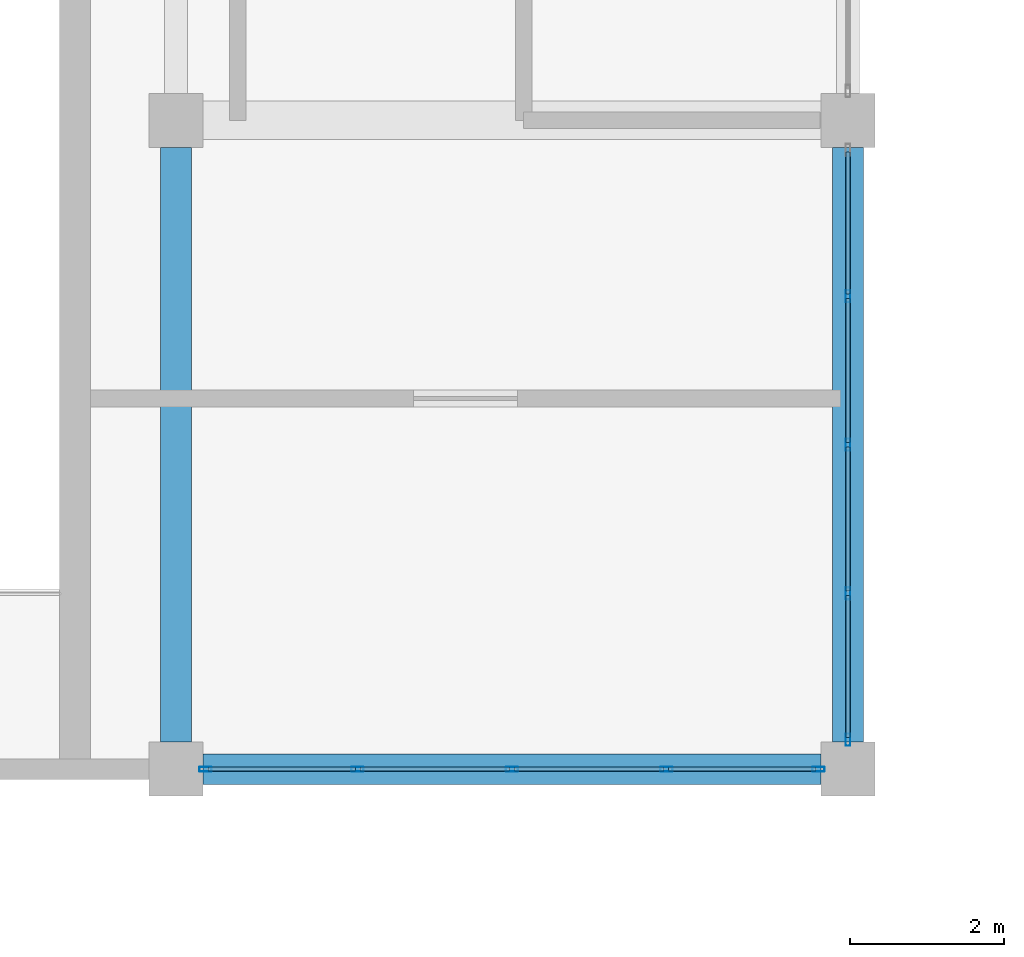
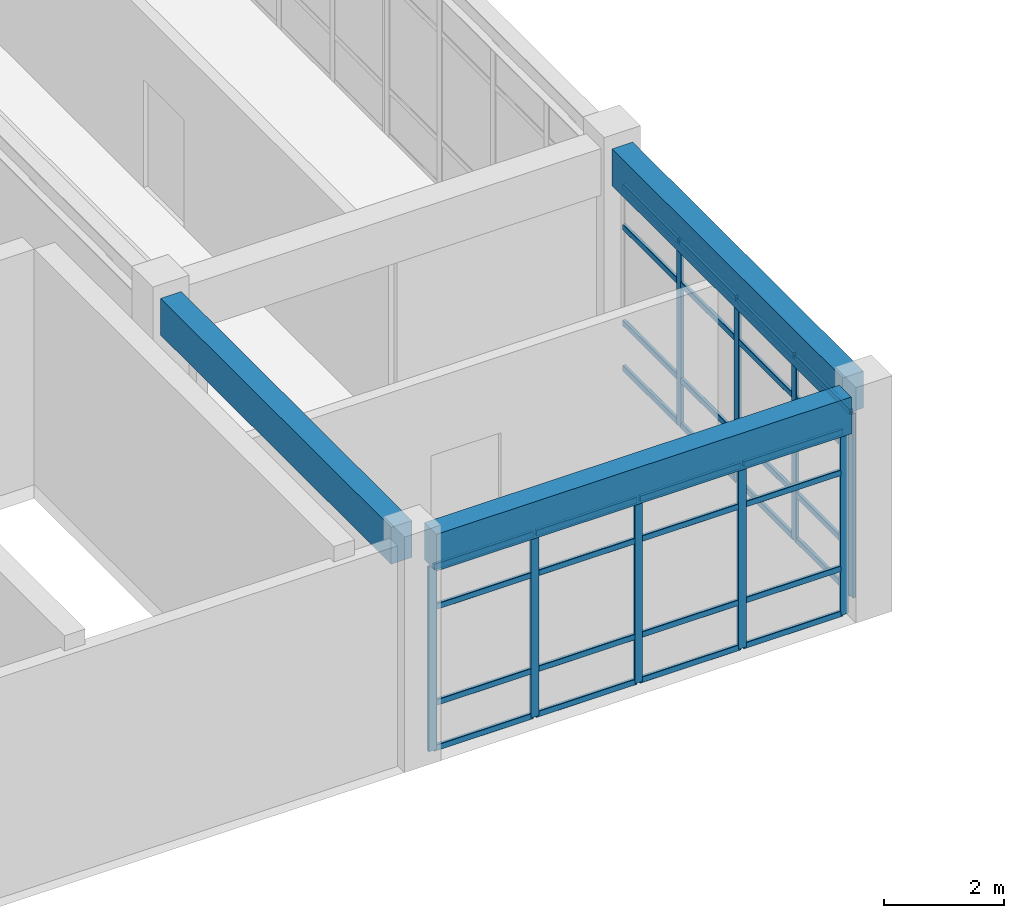
# One storey, part 30 of 64: 41 members, 3 beams, 2 elements without a shape of their own.
"""IFC4 building model written with IfcOpenShell, lengths in metres."""

from ifc_helpers import new_model, si_unit, derived_unit, direction, frame, origin, origin_2d, place, context, subcontext, project, spatial, rectangle, hollow_rectangle, extrude, material, layer, layer_set, material_profile, profile_set, type_object, element, aggregate, save


model = new_model("IFC4")

# Units and contexts
model_context = context("Model", 3, precision=1e-05, world=origin(), true_north=direction((0.0, 1.0)))
body_context = subcontext(model_context, "Body", "Model", "MODEL_VIEW")
ifc_project = project(units=[si_unit("LENGTHUNIT", "METRE"), si_unit("AREAUNIT", "SQUARE_METRE"), si_unit("VOLUMEUNIT", "CUBIC_METRE"), si_unit("PLANEANGLEUNIT", "RADIAN"), si_unit("MASSUNIT", "GRAM", prefix="KILO"), derived_unit("THERMALTRANSMITTANCEUNIT", [(si_unit("MASSUNIT", "GRAM", prefix="KILO"), 1), (si_unit("TIMEUNIT", "SECOND"), -3), (si_unit("THERMODYNAMICTEMPERATUREUNIT", "KELVIN"), -1)])], contexts=[model_context])

# Site, building, storey
site_placement = place(None, origin())
site = spatial("IfcSite", under=ifc_project, at=site_placement, CompositionType="ELEMENT")
building_placement = place(site_placement, origin())
building = spatial("IfcBuilding", under=site, at=building_placement, Name="Qinzheling Arcade Emporium", CompositionType="ELEMENT")
storey_placement = place(building_placement, frame((0.0, 0.0, 31.5)))
storey = spatial("IfcBuildingStorey", under=building, at=storey_placement, Name="L07", CompositionType="ELEMENT", Elevation=31.5)

# Curtain wall, members
ifc_material_1 = material(Name="Anodised aluminium and solar-control double glazing", Category="aluminium")
ifc_layer = layer(ifc_material_1, 0.159912109375, Name="Anodised aluminium and solar-control double glazing", Category="aluminium")
ifc_layer_set = layer_set([ifc_layer], Name="Anodised aluminium and solar-control double glazing")
curtain_wall_type = type_object("IfcCurtainWallType", Name="Atrium Clerestory Curtain Wall", PredefinedType="NOTDEFINED", material=ifc_layer_set)
curtain_wall_1_placement = place(storey_placement, origin())
curtain_wall_1 = element("IfcCurtainWall", 1, at=curtain_wall_1_placement, inside=storey, type_object=curtain_wall_type, Name="Curtain Wall CW-L07-427", PredefinedType="NOTDEFINED")
ifc_material_2 = material(Name="Anodised aluminium 6063-T6", Category="aluminium")
ifc_material_profile_1 = material_profile(ifc_material_2, hollow_rectangle(XDim=0.06005859375, YDim=0.159912109375, WallThickness=0.00390625, InnerFilletRadius=0.00390625, OuterFilletRadius=0.008056640625, at=origin_2d()), Name="RHS 160x60x4", Category="aluminium")
ifc_profile_set_1 = profile_set([ifc_material_profile_1], Name="Anodised aluminium 6063-T6")
member_type_1 = type_object("IfcMemberType", Name="Curtain Wall Mullion RHS160x60", PredefinedType="MULLION", material=ifc_profile_set_1)
member_1_placement = place(storey_placement, frame((104.39990234375, 48.1240234375, 0.0), z_axis=(0.0, 0.0, 1.0), x_axis=(1.0, 0.0, 0.0)))
member_1 = element("IfcMember", 2, at=member_1_placement, type_object=member_type_1, Name="CW03 mullion 2", PredefinedType="MULLION", context=body_context, shape_type="SweptSolid", body=[
    extrude(hollow_rectangle(XDim=0.06005859375, YDim=0.159912109375, WallThickness=0.00390625, InnerFilletRadius=0.00390625, OuterFilletRadius=0.008056640625, at=origin_2d()), origin(), (0.0, 0.0, 1.0), 3.7548828125),
])
member_2_placement = place(storey_placement, frame((104.39990234375, 46.199951171875, 0.0), z_axis=(0.0, 0.0, 1.0), x_axis=(1.0, 0.0, 0.0)))
member_2 = element("IfcMember", 3, at=member_2_placement, type_object=member_type_1, Name="CW03 mullion 3", PredefinedType="MULLION", context=body_context, shape_type="SweptSolid", body=[
    extrude(hollow_rectangle(XDim=0.06005859375, YDim=0.159912109375, WallThickness=0.00390625, InnerFilletRadius=0.00390625, OuterFilletRadius=0.008056640625, at=origin_2d()), origin(), (0.0, 0.0, 1.0), 3.7548828125),
])
member_3_placement = place(storey_placement, frame((104.39990234375, 44.27587890625, 0.0), z_axis=(0.0, 0.0, 1.0), x_axis=(1.0, 0.0, 0.0)))
member_3 = element("IfcMember", 4, at=member_3_placement, type_object=member_type_1, Name="CW03 mullion 4", PredefinedType="MULLION", context=body_context, shape_type="SweptSolid", body=[
    extrude(hollow_rectangle(XDim=0.06005859375, YDim=0.159912109375, WallThickness=0.00390625, InnerFilletRadius=0.00390625, OuterFilletRadius=0.008056640625, at=origin_2d()), origin(), (0.0, 0.0, 1.0), 3.7548828125),
])
member_4_placement = place(storey_placement, frame((104.39990234375, 42.382080078125, 0.0), z_axis=(0.0, 0.0, 1.0), x_axis=(1.0, 0.0, 0.0)))
member_4 = element("IfcMember", 5, at=member_4_placement, type_object=member_type_1, Name="CW03 mullion 5", PredefinedType="MULLION", context=body_context, shape_type="SweptSolid", body=[
    extrude(hollow_rectangle(XDim=0.06005859375, YDim=0.159912109375, WallThickness=0.00390625, InnerFilletRadius=0.00390625, OuterFilletRadius=0.008056640625, at=origin_2d()), origin(), (0.0, 0.0, 1.0), 3.7548828125),
])

curtain_wall_2_placement = place(storey_placement, origin())
curtain_wall_2 = element("IfcCurtainWall", 6, at=curtain_wall_2_placement, inside=storey, type_object=curtain_wall_type, Name="Curtain Wall CW-L07-428", PredefinedType="NOTDEFINED")
member_5_placement = place(storey_placement, frame((104.01806640625, 42.0, 0.0), z_axis=(0.0, 0.0, 1.0), x_axis=(0.0, -1.0, 0.0)))
member_5 = element("IfcMember", 7, at=member_5_placement, type_object=member_type_1, Name="CW03 mullion 1", PredefinedType="MULLION", context=body_context, shape_type="SweptSolid", body=[
    extrude(hollow_rectangle(XDim=0.06005859375, YDim=0.159912109375, WallThickness=0.00390625, InnerFilletRadius=0.00390625, OuterFilletRadius=0.008056640625, at=origin_2d()), origin(), (0.0, 0.0, 1.0), 3.7548828125),
])
member_6_placement = place(storey_placement, frame((102.049072265625, 42.0, 0.0), z_axis=(0.0, 0.0, 1.0), x_axis=(0.0, -1.0, 0.0)))
member_6 = element("IfcMember", 8, at=member_6_placement, type_object=member_type_1, Name="CW03 mullion 2", PredefinedType="MULLION", context=body_context, shape_type="SweptSolid", body=[
    extrude(hollow_rectangle(XDim=0.06005859375, YDim=0.159912109375, WallThickness=0.00390625, InnerFilletRadius=0.00390625, OuterFilletRadius=0.008056640625, at=origin_2d()), origin(), (0.0, 0.0, 1.0), 3.7548828125),
])
member_7_placement = place(storey_placement, frame((100.050048828125, 42.0, 0.0), z_axis=(0.0, 0.0, 1.0), x_axis=(0.0, -1.0, 0.0)))
member_7 = element("IfcMember", 9, at=member_7_placement, type_object=member_type_1, Name="CW03 mullion 3", PredefinedType="MULLION", context=body_context, shape_type="SweptSolid", body=[
    extrude(hollow_rectangle(XDim=0.06005859375, YDim=0.159912109375, WallThickness=0.00390625, InnerFilletRadius=0.00390625, OuterFilletRadius=0.008056640625, at=origin_2d()), origin(), (0.0, 0.0, 1.0), 3.7548828125),
])
member_8_placement = place(storey_placement, frame((98.051025390625, 42.0, 0.0), z_axis=(0.0, 0.0, 1.0), x_axis=(0.0, -1.0, 0.0)))
member_8 = element("IfcMember", 10, at=member_8_placement, type_object=member_type_1, Name="CW03 mullion 4", PredefinedType="MULLION", context=body_context, shape_type="SweptSolid", body=[
    extrude(hollow_rectangle(XDim=0.06005859375, YDim=0.159912109375, WallThickness=0.00390625, InnerFilletRadius=0.00390625, OuterFilletRadius=0.008056640625, at=origin_2d()), origin(), (0.0, 0.0, 1.0), 3.7548828125),
])
member_9_placement = place(storey_placement, frame((96.08203125, 42.0, 0.0), z_axis=(0.0, 0.0, 1.0), x_axis=(0.0, -1.0, 0.0)))
member_9 = element("IfcMember", 11, at=member_9_placement, type_object=member_type_1, Name="CW03 mullion 5", PredefinedType="MULLION", context=body_context, shape_type="SweptSolid", body=[
    extrude(hollow_rectangle(XDim=0.06005859375, YDim=0.159912109375, WallThickness=0.00390625, InnerFilletRadius=0.00390625, OuterFilletRadius=0.008056640625, at=origin_2d()), origin(), (0.0, 0.0, 1.0), 3.7548828125),
])

# Member
ifc_material_profile_2 = material_profile(ifc_material_2, hollow_rectangle(XDim=0.06005859375, YDim=0.1201171875, WallThickness=0.00390625, InnerFilletRadius=0.00390625, OuterFilletRadius=0.008056640625, at=origin_2d()), Name="RHS 120x60x4", Category="aluminium")
ifc_profile_set_2 = profile_set([ifc_material_profile_2], Name="Anodised aluminium 6063-T6")
member_type_2 = type_object("IfcMemberType", Name="Curtain Wall Transom RHS120x60", PredefinedType="USERDEFINED", material=ifc_profile_set_2)
member_10_placement = place(storey_placement, frame((104.39990234375, 49.988037109375, 0.030029296875), z_axis=(0.0, -1.0, 0.0), x_axis=(1.0, 0.0, 0.0)))
member_10 = element("IfcMember", 12, at=member_10_placement, type_object=member_type_2, Name="CW03 transom 1.1", ObjectType="TRANSOM", PredefinedType="USERDEFINED", context=body_context, shape_type="SweptSolid", body=[
    extrude(hollow_rectangle(XDim=0.06005859375, YDim=0.1201171875, WallThickness=0.00390625, InnerFilletRadius=0.00390625, OuterFilletRadius=0.008056640625, at=origin_2d()), origin(), (0.0, 0.0, 1.0), 1.833984375),
])

member_11_placement = place(storey_placement, frame((104.39990234375, 49.988037109375, 0.949951171875), z_axis=(0.0, -1.0, 0.0), x_axis=(1.0, 0.0, 0.0)))
member_11 = element("IfcMember", 13, at=member_11_placement, type_object=member_type_2, Name="CW03 transom 1.2", ObjectType="TRANSOM", PredefinedType="USERDEFINED", context=body_context, shape_type="SweptSolid", body=[
    extrude(hollow_rectangle(XDim=0.06005859375, YDim=0.1201171875, WallThickness=0.00390625, InnerFilletRadius=0.00390625, OuterFilletRadius=0.008056640625, at=origin_2d()), origin(), (0.0, 0.0, 1.0), 1.833984375),
])

member_12_placement = place(storey_placement, frame((104.39990234375, 49.988037109375, 2.905029296875), z_axis=(0.0, -1.0, 0.0), x_axis=(1.0, 0.0, 0.0)))
member_12 = element("IfcMember", 14, at=member_12_placement, type_object=member_type_2, Name="CW03 transom 1.3", ObjectType="TRANSOM", PredefinedType="USERDEFINED", context=body_context, shape_type="SweptSolid", body=[
    extrude(hollow_rectangle(XDim=0.06005859375, YDim=0.1201171875, WallThickness=0.00390625, InnerFilletRadius=0.00390625, OuterFilletRadius=0.008056640625, at=origin_2d()), origin(), (0.0, 0.0, 1.0), 1.833984375),
])

member_13_placement = place(storey_placement, frame((104.39990234375, 49.988037109375, 3.72509765625), z_axis=(0.0, -1.0, 0.0), x_axis=(1.0, 0.0, 0.0)))
member_13 = element("IfcMember", 15, at=member_13_placement, type_object=member_type_2, Name="CW03 transom 1.4", ObjectType="TRANSOM", PredefinedType="USERDEFINED", context=body_context, shape_type="SweptSolid", body=[
    extrude(hollow_rectangle(XDim=0.06005859375, YDim=0.1201171875, WallThickness=0.00390625, InnerFilletRadius=0.00390625, OuterFilletRadius=0.008056640625, at=origin_2d()), origin(), (0.0, 0.0, 1.0), 1.833984375),
])

member_14_placement = place(storey_placement, frame((104.39990234375, 48.093994140625, 0.030029296875), z_axis=(0.0, -1.0, 0.0), x_axis=(1.0, 0.0, 0.0)))
member_14 = element("IfcMember", 16, at=member_14_placement, type_object=member_type_2, Name="CW03 transom 2.1", ObjectType="TRANSOM", PredefinedType="USERDEFINED", context=body_context, shape_type="SweptSolid", body=[
    extrude(hollow_rectangle(XDim=0.06005859375, YDim=0.1201171875, WallThickness=0.00390625, InnerFilletRadius=0.00390625, OuterFilletRadius=0.008056640625, at=origin_2d()), origin(), (0.0, 0.0, 1.0), 1.864013671875),
])

member_15_placement = place(storey_placement, frame((104.39990234375, 48.093994140625, 0.949951171875), z_axis=(0.0, -1.0, 0.0), x_axis=(1.0, 0.0, 0.0)))
member_15 = element("IfcMember", 17, at=member_15_placement, type_object=member_type_2, Name="CW03 transom 2.2", ObjectType="TRANSOM", PredefinedType="USERDEFINED", context=body_context, shape_type="SweptSolid", body=[
    extrude(hollow_rectangle(XDim=0.06005859375, YDim=0.1201171875, WallThickness=0.00390625, InnerFilletRadius=0.00390625, OuterFilletRadius=0.008056640625, at=origin_2d()), origin(), (0.0, 0.0, 1.0), 1.864013671875),
])

member_16_placement = place(storey_placement, frame((104.39990234375, 48.093994140625, 2.905029296875), z_axis=(0.0, -1.0, 0.0), x_axis=(1.0, 0.0, 0.0)))
member_16 = element("IfcMember", 18, at=member_16_placement, type_object=member_type_2, Name="CW03 transom 2.3", ObjectType="TRANSOM", PredefinedType="USERDEFINED", context=body_context, shape_type="SweptSolid", body=[
    extrude(hollow_rectangle(XDim=0.06005859375, YDim=0.1201171875, WallThickness=0.00390625, InnerFilletRadius=0.00390625, OuterFilletRadius=0.008056640625, at=origin_2d()), origin(), (0.0, 0.0, 1.0), 1.864013671875),
])

member_17_placement = place(storey_placement, frame((104.39990234375, 48.093994140625, 3.72509765625), z_axis=(0.0, -1.0, 0.0), x_axis=(1.0, 0.0, 0.0)))
member_17 = element("IfcMember", 19, at=member_17_placement, type_object=member_type_2, Name="CW03 transom 2.4", ObjectType="TRANSOM", PredefinedType="USERDEFINED", context=body_context, shape_type="SweptSolid", body=[
    extrude(hollow_rectangle(XDim=0.06005859375, YDim=0.1201171875, WallThickness=0.00390625, InnerFilletRadius=0.00390625, OuterFilletRadius=0.008056640625, at=origin_2d()), origin(), (0.0, 0.0, 1.0), 1.864013671875),
])

member_18_placement = place(storey_placement, frame((104.39990234375, 46.169921875, 0.030029296875), z_axis=(0.0, -1.0, 0.0), x_axis=(1.0, 0.0, 0.0)))
member_18 = element("IfcMember", 20, at=member_18_placement, type_object=member_type_2, Name="CW03 transom 3.1", ObjectType="TRANSOM", PredefinedType="USERDEFINED", context=body_context, shape_type="SweptSolid", body=[
    extrude(hollow_rectangle(XDim=0.06005859375, YDim=0.1201171875, WallThickness=0.00390625, InnerFilletRadius=0.00390625, OuterFilletRadius=0.008056640625, at=origin_2d()), origin(), (0.0, 0.0, 1.0), 1.864013671875),
])

member_19_placement = place(storey_placement, frame((104.39990234375, 46.169921875, 0.949951171875), z_axis=(0.0, -1.0, 0.0), x_axis=(1.0, 0.0, 0.0)))
member_19 = element("IfcMember", 21, at=member_19_placement, type_object=member_type_2, Name="CW03 transom 3.2", ObjectType="TRANSOM", PredefinedType="USERDEFINED", context=body_context, shape_type="SweptSolid", body=[
    extrude(hollow_rectangle(XDim=0.06005859375, YDim=0.1201171875, WallThickness=0.00390625, InnerFilletRadius=0.00390625, OuterFilletRadius=0.008056640625, at=origin_2d()), origin(), (0.0, 0.0, 1.0), 1.864013671875),
])

member_20_placement = place(storey_placement, frame((104.39990234375, 46.169921875, 2.905029296875), z_axis=(0.0, -1.0, 0.0), x_axis=(1.0, 0.0, 0.0)))
member_20 = element("IfcMember", 22, at=member_20_placement, type_object=member_type_2, Name="CW03 transom 3.3", ObjectType="TRANSOM", PredefinedType="USERDEFINED", context=body_context, shape_type="SweptSolid", body=[
    extrude(hollow_rectangle(XDim=0.06005859375, YDim=0.1201171875, WallThickness=0.00390625, InnerFilletRadius=0.00390625, OuterFilletRadius=0.008056640625, at=origin_2d()), origin(), (0.0, 0.0, 1.0), 1.864013671875),
])

member_21_placement = place(storey_placement, frame((104.39990234375, 46.169921875, 3.72509765625), z_axis=(0.0, -1.0, 0.0), x_axis=(1.0, 0.0, 0.0)))
member_21 = element("IfcMember", 23, at=member_21_placement, type_object=member_type_2, Name="CW03 transom 3.4", ObjectType="TRANSOM", PredefinedType="USERDEFINED", context=body_context, shape_type="SweptSolid", body=[
    extrude(hollow_rectangle(XDim=0.06005859375, YDim=0.1201171875, WallThickness=0.00390625, InnerFilletRadius=0.00390625, OuterFilletRadius=0.008056640625, at=origin_2d()), origin(), (0.0, 0.0, 1.0), 1.864013671875),
])

member_22_placement = place(storey_placement, frame((104.39990234375, 44.24609375, 0.030029296875), z_axis=(0.0, -1.0, 0.0), x_axis=(1.0, 0.0, 0.0)))
member_22 = element("IfcMember", 24, at=member_22_placement, type_object=member_type_2, Name="CW03 transom 4.1", ObjectType="TRANSOM", PredefinedType="USERDEFINED", context=body_context, shape_type="SweptSolid", body=[
    extrude(hollow_rectangle(XDim=0.06005859375, YDim=0.1201171875, WallThickness=0.00390625, InnerFilletRadius=0.00390625, OuterFilletRadius=0.008056640625, at=origin_2d()), origin(), (0.0, 0.0, 1.0), 1.833984375),
])

member_23_placement = place(storey_placement, frame((104.39990234375, 44.24609375, 0.949951171875), z_axis=(0.0, -1.0, 0.0), x_axis=(1.0, 0.0, 0.0)))
member_23 = element("IfcMember", 25, at=member_23_placement, type_object=member_type_2, Name="CW03 transom 4.2", ObjectType="TRANSOM", PredefinedType="USERDEFINED", context=body_context, shape_type="SweptSolid", body=[
    extrude(hollow_rectangle(XDim=0.06005859375, YDim=0.1201171875, WallThickness=0.00390625, InnerFilletRadius=0.00390625, OuterFilletRadius=0.008056640625, at=origin_2d()), origin(), (0.0, 0.0, 1.0), 1.833984375),
])

member_24_placement = place(storey_placement, frame((104.39990234375, 44.24609375, 2.905029296875), z_axis=(0.0, -1.0, 0.0), x_axis=(1.0, 0.0, 0.0)))
member_24 = element("IfcMember", 26, at=member_24_placement, type_object=member_type_2, Name="CW03 transom 4.3", ObjectType="TRANSOM", PredefinedType="USERDEFINED", context=body_context, shape_type="SweptSolid", body=[
    extrude(hollow_rectangle(XDim=0.06005859375, YDim=0.1201171875, WallThickness=0.00390625, InnerFilletRadius=0.00390625, OuterFilletRadius=0.008056640625, at=origin_2d()), origin(), (0.0, 0.0, 1.0), 1.833984375),
])

member_25_placement = place(storey_placement, frame((104.39990234375, 44.24609375, 3.72509765625), z_axis=(0.0, -1.0, 0.0), x_axis=(1.0, 0.0, 0.0)))
member_25 = element("IfcMember", 27, at=member_25_placement, type_object=member_type_2, Name="CW03 transom 4.4", ObjectType="TRANSOM", PredefinedType="USERDEFINED", context=body_context, shape_type="SweptSolid", body=[
    extrude(hollow_rectangle(XDim=0.06005859375, YDim=0.1201171875, WallThickness=0.00390625, InnerFilletRadius=0.00390625, OuterFilletRadius=0.008056640625, at=origin_2d()), origin(), (0.0, 0.0, 1.0), 1.833984375),
])

aggregate(curtain_wall_1, [member_1, member_2, member_3, member_4, member_10, member_11, member_12, member_13, member_14, member_15, member_16, member_17, member_18, member_19, member_20, member_21, member_22, member_23, member_24, member_25])

member_26_placement = place(storey_placement, frame((103.988037109375, 42.0, 0.030029296875), z_axis=(-1.0, 0.0, 0.0), x_axis=(0.0, -1.0, 0.0)))
member_26 = element("IfcMember", 28, at=member_26_placement, type_object=member_type_2, Name="CW03 transom 1.1", ObjectType="TRANSOM", PredefinedType="USERDEFINED", context=body_context, shape_type="SweptSolid", body=[
    extrude(hollow_rectangle(XDim=0.06005859375, YDim=0.1201171875, WallThickness=0.00390625, InnerFilletRadius=0.00390625, OuterFilletRadius=0.008056640625, at=origin_2d()), origin(), (0.0, 0.0, 1.0), 1.908935546875),
])

member_27_placement = place(storey_placement, frame((103.988037109375, 42.0, 0.949951171875), z_axis=(-1.0, 0.0, 0.0), x_axis=(0.0, -1.0, 0.0)))
member_27 = element("IfcMember", 29, at=member_27_placement, type_object=member_type_2, Name="CW03 transom 1.2", ObjectType="TRANSOM", PredefinedType="USERDEFINED", context=body_context, shape_type="SweptSolid", body=[
    extrude(hollow_rectangle(XDim=0.06005859375, YDim=0.1201171875, WallThickness=0.00390625, InnerFilletRadius=0.00390625, OuterFilletRadius=0.008056640625, at=origin_2d()), origin(), (0.0, 0.0, 1.0), 1.908935546875),
])

member_28_placement = place(storey_placement, frame((103.988037109375, 42.0, 2.905029296875), z_axis=(-1.0, 0.0, 0.0), x_axis=(0.0, -1.0, 0.0)))
member_28 = element("IfcMember", 30, at=member_28_placement, type_object=member_type_2, Name="CW03 transom 1.3", ObjectType="TRANSOM", PredefinedType="USERDEFINED", context=body_context, shape_type="SweptSolid", body=[
    extrude(hollow_rectangle(XDim=0.06005859375, YDim=0.1201171875, WallThickness=0.00390625, InnerFilletRadius=0.00390625, OuterFilletRadius=0.008056640625, at=origin_2d()), origin(), (0.0, 0.0, 1.0), 1.908935546875),
])

member_29_placement = place(storey_placement, frame((103.988037109375, 42.0, 3.72509765625), z_axis=(-1.0, 0.0, 0.0), x_axis=(0.0, -1.0, 0.0)))
member_29 = element("IfcMember", 31, at=member_29_placement, type_object=member_type_2, Name="CW03 transom 1.4", ObjectType="TRANSOM", PredefinedType="USERDEFINED", context=body_context, shape_type="SweptSolid", body=[
    extrude(hollow_rectangle(XDim=0.06005859375, YDim=0.1201171875, WallThickness=0.00390625, InnerFilletRadius=0.00390625, OuterFilletRadius=0.008056640625, at=origin_2d()), origin(), (0.0, 0.0, 1.0), 1.908935546875),
])

member_30_placement = place(storey_placement, frame((102.01904296875, 42.0, 0.030029296875), z_axis=(-1.0, 0.0, 0.0), x_axis=(0.0, -1.0, 0.0)))
member_30 = element("IfcMember", 32, at=member_30_placement, type_object=member_type_2, Name="CW03 transom 2.1", ObjectType="TRANSOM", PredefinedType="USERDEFINED", context=body_context, shape_type="SweptSolid", body=[
    extrude(hollow_rectangle(XDim=0.06005859375, YDim=0.1201171875, WallThickness=0.00390625, InnerFilletRadius=0.00390625, OuterFilletRadius=0.008056640625, at=origin_2d()), origin(), (0.0, 0.0, 1.0), 1.93896484375),
])

member_31_placement = place(storey_placement, frame((102.01904296875, 42.0, 0.949951171875), z_axis=(-1.0, 0.0, 0.0), x_axis=(0.0, -1.0, 0.0)))
member_31 = element("IfcMember", 33, at=member_31_placement, type_object=member_type_2, Name="CW03 transom 2.2", ObjectType="TRANSOM", PredefinedType="USERDEFINED", context=body_context, shape_type="SweptSolid", body=[
    extrude(hollow_rectangle(XDim=0.06005859375, YDim=0.1201171875, WallThickness=0.00390625, InnerFilletRadius=0.00390625, OuterFilletRadius=0.008056640625, at=origin_2d()), origin(), (0.0, 0.0, 1.0), 1.93896484375),
])

member_32_placement = place(storey_placement, frame((102.01904296875, 42.0, 2.905029296875), z_axis=(-1.0, 0.0, 0.0), x_axis=(0.0, -1.0, 0.0)))
member_32 = element("IfcMember", 34, at=member_32_placement, type_object=member_type_2, Name="CW03 transom 2.3", ObjectType="TRANSOM", PredefinedType="USERDEFINED", context=body_context, shape_type="SweptSolid", body=[
    extrude(hollow_rectangle(XDim=0.06005859375, YDim=0.1201171875, WallThickness=0.00390625, InnerFilletRadius=0.00390625, OuterFilletRadius=0.008056640625, at=origin_2d()), origin(), (0.0, 0.0, 1.0), 1.93896484375),
])

member_33_placement = place(storey_placement, frame((102.01904296875, 42.0, 3.72509765625), z_axis=(-1.0, 0.0, 0.0), x_axis=(0.0, -1.0, 0.0)))
member_33 = element("IfcMember", 35, at=member_33_placement, type_object=member_type_2, Name="CW03 transom 2.4", ObjectType="TRANSOM", PredefinedType="USERDEFINED", context=body_context, shape_type="SweptSolid", body=[
    extrude(hollow_rectangle(XDim=0.06005859375, YDim=0.1201171875, WallThickness=0.00390625, InnerFilletRadius=0.00390625, OuterFilletRadius=0.008056640625, at=origin_2d()), origin(), (0.0, 0.0, 1.0), 1.93896484375),
])

member_34_placement = place(storey_placement, frame((100.02001953125, 42.0, 0.030029296875), z_axis=(-1.0, 0.0, 0.0), x_axis=(0.0, -1.0, 0.0)))
member_34 = element("IfcMember", 36, at=member_34_placement, type_object=member_type_2, Name="CW03 transom 3.1", ObjectType="TRANSOM", PredefinedType="USERDEFINED", context=body_context, shape_type="SweptSolid", body=[
    extrude(hollow_rectangle(XDim=0.06005859375, YDim=0.1201171875, WallThickness=0.00390625, InnerFilletRadius=0.00390625, OuterFilletRadius=0.008056640625, at=origin_2d()), origin(), (0.0, 0.0, 1.0), 1.93896484375),
])

member_35_placement = place(storey_placement, frame((100.02001953125, 42.0, 0.949951171875), z_axis=(-1.0, 0.0, 0.0), x_axis=(0.0, -1.0, 0.0)))
member_35 = element("IfcMember", 37, at=member_35_placement, type_object=member_type_2, Name="CW03 transom 3.2", ObjectType="TRANSOM", PredefinedType="USERDEFINED", context=body_context, shape_type="SweptSolid", body=[
    extrude(hollow_rectangle(XDim=0.06005859375, YDim=0.1201171875, WallThickness=0.00390625, InnerFilletRadius=0.00390625, OuterFilletRadius=0.008056640625, at=origin_2d()), origin(), (0.0, 0.0, 1.0), 1.93896484375),
])

member_36_placement = place(storey_placement, frame((100.02001953125, 42.0, 2.905029296875), z_axis=(-1.0, 0.0, 0.0), x_axis=(0.0, -1.0, 0.0)))
member_36 = element("IfcMember", 38, at=member_36_placement, type_object=member_type_2, Name="CW03 transom 3.3", ObjectType="TRANSOM", PredefinedType="USERDEFINED", context=body_context, shape_type="SweptSolid", body=[
    extrude(hollow_rectangle(XDim=0.06005859375, YDim=0.1201171875, WallThickness=0.00390625, InnerFilletRadius=0.00390625, OuterFilletRadius=0.008056640625, at=origin_2d()), origin(), (0.0, 0.0, 1.0), 1.93896484375),
])

member_37_placement = place(storey_placement, frame((100.02001953125, 42.0, 3.72509765625), z_axis=(-1.0, 0.0, 0.0), x_axis=(0.0, -1.0, 0.0)))
member_37 = element("IfcMember", 39, at=member_37_placement, type_object=member_type_2, Name="CW03 transom 3.4", ObjectType="TRANSOM", PredefinedType="USERDEFINED", context=body_context, shape_type="SweptSolid", body=[
    extrude(hollow_rectangle(XDim=0.06005859375, YDim=0.1201171875, WallThickness=0.00390625, InnerFilletRadius=0.00390625, OuterFilletRadius=0.008056640625, at=origin_2d()), origin(), (0.0, 0.0, 1.0), 1.93896484375),
])

member_38_placement = place(storey_placement, frame((98.02099609375, 42.0, 0.030029296875), z_axis=(-1.0, 0.0, 0.0), x_axis=(0.0, -1.0, 0.0)))
member_38 = element("IfcMember", 40, at=member_38_placement, type_object=member_type_2, Name="CW03 transom 4.1", ObjectType="TRANSOM", PredefinedType="USERDEFINED", context=body_context, shape_type="SweptSolid", body=[
    extrude(hollow_rectangle(XDim=0.06005859375, YDim=0.1201171875, WallThickness=0.00390625, InnerFilletRadius=0.00390625, OuterFilletRadius=0.008056640625, at=origin_2d()), origin(), (0.0, 0.0, 1.0), 1.908935546875),
])

member_39_placement = place(storey_placement, frame((98.02099609375, 42.0, 0.949951171875), z_axis=(-1.0, 0.0, 0.0), x_axis=(0.0, -1.0, 0.0)))
member_39 = element("IfcMember", 41, at=member_39_placement, type_object=member_type_2, Name="CW03 transom 4.2", ObjectType="TRANSOM", PredefinedType="USERDEFINED", context=body_context, shape_type="SweptSolid", body=[
    extrude(hollow_rectangle(XDim=0.06005859375, YDim=0.1201171875, WallThickness=0.00390625, InnerFilletRadius=0.00390625, OuterFilletRadius=0.008056640625, at=origin_2d()), origin(), (0.0, 0.0, 1.0), 1.908935546875),
])

member_40_placement = place(storey_placement, frame((98.02099609375, 42.0, 2.905029296875), z_axis=(-1.0, 0.0, 0.0), x_axis=(0.0, -1.0, 0.0)))
member_40 = element("IfcMember", 42, at=member_40_placement, type_object=member_type_2, Name="CW03 transom 4.3", ObjectType="TRANSOM", PredefinedType="USERDEFINED", context=body_context, shape_type="SweptSolid", body=[
    extrude(hollow_rectangle(XDim=0.06005859375, YDim=0.1201171875, WallThickness=0.00390625, InnerFilletRadius=0.00390625, OuterFilletRadius=0.008056640625, at=origin_2d()), origin(), (0.0, 0.0, 1.0), 1.908935546875),
])

member_41_placement = place(storey_placement, frame((98.02099609375, 42.0, 3.72509765625), z_axis=(-1.0, 0.0, 0.0), x_axis=(0.0, -1.0, 0.0)))
member_41 = element("IfcMember", 43, at=member_41_placement, type_object=member_type_2, Name="CW03 transom 4.4", ObjectType="TRANSOM", PredefinedType="USERDEFINED", context=body_context, shape_type="SweptSolid", body=[
    extrude(hollow_rectangle(XDim=0.06005859375, YDim=0.1201171875, WallThickness=0.00390625, InnerFilletRadius=0.00390625, OuterFilletRadius=0.008056640625, at=origin_2d()), origin(), (0.0, 0.0, 1.0), 1.908935546875),
])

aggregate(curtain_wall_2, [member_5, member_6, member_7, member_8, member_9, member_26, member_27, member_28, member_29, member_30, member_31, member_32, member_33, member_34, member_35, member_36, member_37, member_38, member_39, member_40, member_41])

# Beams
ifc_material_3 = material(Name="Concrete C40", Category="concrete")
ifc_material_profile_3 = material_profile(ifc_material_3, rectangle(XDim=0.39990234375, YDim=0.75, at=origin_2d()), Name="RC 400x750", Category="concrete")
ifc_profile_set_3 = profile_set([ifc_material_profile_3], Name="Concrete C40")
beam_type = type_object("IfcBeamType", Name="RC Interior Tie Beam 400x750 C40", PredefinedType="BEAM", material=ifc_profile_set_3)
beam_placement = place(storey_placement, frame((96.050048828125, 42.0, 4.14501953125), z_axis=(1.0, 0.0, 0.0), x_axis=(0.0, 1.0, 0.0)))
element("IfcBeam", 44, at=beam_placement, inside=storey, type_object=beam_type, Name="Beam BM-L07-X-F-12", PredefinedType="BEAM", context=body_context, shape_type="SweptSolid", body=[
    extrude(rectangle(XDim=0.39990234375, YDim=0.75, at=origin_2d()), origin(), (0.0, 0.0, 1.0), 8.0),
])
for number, where, z_axis, x_axis, name in (
    (45, (95.699951171875, 42.35009765625, 4.14501953125), (0.0, 1.0, 0.0), (-1.0, 0.0, 0.0), "Beam BM-L07-Y-12-F"),
    (46, (104.39990234375, 42.35009765625, 4.14501953125), (0.0, 1.0, 0.0), (-1.0, 0.0, 0.0), "Beam BM-L07-Y-13-F"),
):
    element("IfcBeam", number, at=place(storey_placement, frame(where, z_axis=z_axis, x_axis=x_axis)), inside=storey, type_object=beam_type, Name=name, PredefinedType="BEAM", context=body_context, shape_type="SweptSolid", body=[
        extrude(rectangle(XDim=0.39990234375, YDim=0.75, at=origin_2d()), origin(), (0.0, 0.0, 1.0), 7.699951171875),
    ])

save(model, "model.ifc")
